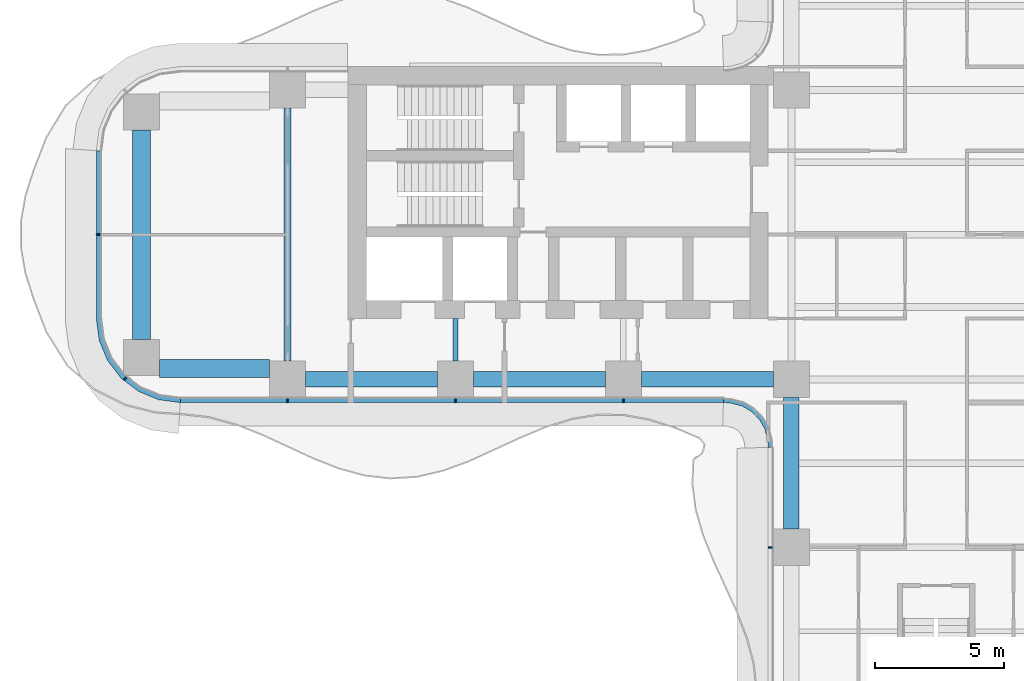
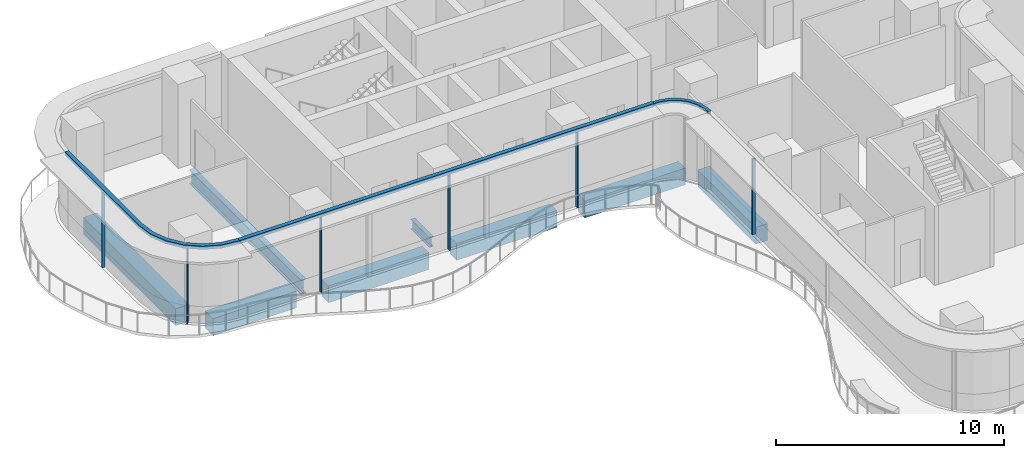
# One storey, part 3 of 22: 9 members, 8 beams, 4 elements without a shape of their own.
"""IFC4 building model written with IfcOpenShell, lengths in metres."""

from ifc_helpers import new_model, si_unit, direction, frame, origin, origin_2d, place, context, subcontext, project, spatial, polyline, rectangle, i_section, outline, extrude, source, transform, mapped, material, layer, layer_set, material_profile, profile_set, type_object, element, aggregate, save


model = new_model("IFC4")

# Units and contexts
model_context = context("Model", 3, precision=1e-05, world=origin(), true_north=direction((0.0, 1.0)))
body_context = subcontext(model_context, "Body", "Model", "MODEL_VIEW")
ifc_project = project(units=[si_unit("LENGTHUNIT", "METRE"), si_unit("AREAUNIT", "SQUARE_METRE"), si_unit("VOLUMEUNIT", "CUBIC_METRE"), si_unit("PLANEANGLEUNIT", "RADIAN"), si_unit("MASSUNIT", "GRAM", prefix="KILO")], contexts=[model_context])

# Site, building, storey
site_placement = place(None, origin())
site = spatial("IfcSite", under=ifc_project, at=site_placement, CompositionType="ELEMENT")
building_placement = place(site_placement, origin())
building = spatial("IfcBuilding", under=site, at=building_placement, Name="Trellis Farm Tower", CompositionType="ELEMENT")
storey_placement = place(building_placement, frame((0.0, 0.0, 43.0)))
storey = spatial("IfcBuildingStorey", under=building, at=storey_placement, Name="L08", CompositionType="ELEMENT", Elevation=43.0)

# Beams
ifc_material_1 = material(Name="Concrete C60/75", Category="concrete")
ifc_material_profile_1 = material_profile(ifc_material_1, rectangle(XDim=0.60009765625, YDim=0.89990234375, at=origin_2d()), Name="RC spandrel beam 600x900 C60/75")
ifc_profile_set_1 = profile_set([ifc_material_profile_1], Name="Concrete C60/75")
beam_type_1 = type_object("IfcBeamType", Name="RC spandrel beam 600x900 C60/75", PredefinedType="SPANDREL", material=ifc_profile_set_1)
shared_shape_1 = source(origin(), body_context, "Body", "SweptSolid", [
    extrude(rectangle(XDim=0.60009765625, YDim=0.89990234375, at=origin_2d()), origin(), (0.0, 0.0, 1.0), 5.099853515625),
])
for number, where, z_axis, x_axis, name in (
    (1, (-24.39990234375, -5.60009765625, -0.699951171875), (1.0, 0.0, 0.0), (0.0, 1.0, 0.0), "Girder"),
    (2, (-17.89990234375, -5.60009765625, -0.699951171875), (1.0, 0.0, 0.0), (0.0, 1.0, 0.0), "Girder"),
    (3, (-11.39990234375, -5.60009765625, -0.699951171875), (1.0, 0.0, 0.0), (0.0, 1.0, 0.0), "Girder"),
    (4, (-5.60009765625, -11.39990234375, -0.699951171875), (0.0, 1.0, 0.0), (-1.0, 0.0, 0.0), "Girder"),
):
    element("IfcBeam", number, at=place(storey_placement, frame(where, z_axis=z_axis, x_axis=x_axis)), inside=storey, type_object=beam_type_1, Name=name, PredefinedType="SPANDREL", context=body_context, shape_type="MappedRepresentation", body=[
        mapped(shared_shape_1, transform((0.0, 0.0, 0.0))),
    ])
ifc_material_2 = material(Name="Steel S355", Category="steel")
ifc_material_profile_2 = material_profile(ifc_material_2, i_section(OverallWidth=0.2666015625, OverallDepth=0.76220703125, WebThickness=0.014404296875, FlangeThickness=0.021484375, FilletRadius=0.0166015625, at=origin_2d()), Name="UB 762x267x173")
ifc_profile_set_2 = profile_set([ifc_material_profile_2], Name="Steel S355")
beam_type_2 = type_object("IfcBeamType", Name="UB 762x267x173", PredefinedType="BEAM", material=ifc_profile_set_2)
shared_shape_2 = source(origin(), body_context, "Body", "SweptSolid", [
    extrude(i_section(OverallWidth=0.2666015625, OverallDepth=0.76220703125, WebThickness=0.014404296875, FlangeThickness=0.021484375, FilletRadius=0.0166015625, at=origin_2d()), origin(), (0.0, 0.0, 1.0), 9.7998046875),
])
beam_1_placement = place(storey_placement, frame((-25.10009765625, -4.89990234375, -0.631103515625), z_axis=(0.0, 1.0, 0.0), x_axis=(-1.0, 0.0, 0.0)))
element("IfcBeam", 5, at=beam_1_placement, inside=storey, type_object=beam_type_2, Name="Girder", PredefinedType="BEAM", context=body_context, shape_type="MappedRepresentation", body=[
    mapped(shared_shape_2, transform((0.0, 0.0, 0.0))),
])
ifc_material_profile_3 = material_profile(ifc_material_1, rectangle(XDim=0.699951171875, YDim=0.89990234375, at=origin_2d()), Name="RC spandrel beam 700x900 C60/75")
ifc_profile_set_3 = profile_set([ifc_material_profile_3], Name="Concrete C60/75")
beam_type_3 = type_object("IfcBeamType", Name="RC spandrel beam 700x900 C60/75", PredefinedType="SPANDREL", material=ifc_profile_set_3)
shared_shape_3 = source(origin(), body_context, "Body", "SweptSolid", [
    extrude(rectangle(XDim=0.699951171875, YDim=0.89990234375, at=origin_2d()), origin(), (0.0, 0.0, 1.0), 4.25),
])
beam_2_placement = place(storey_placement, frame((-30.050048828125, -5.175048828125, -0.699951171875), z_axis=(1.0, 0.0, 0.0), x_axis=(0.0, 1.0, 0.0)))
element("IfcBeam", 6, at=beam_2_placement, inside=storey, type_object=beam_type_3, Name="Girder", PredefinedType="SPANDREL", context=body_context, shape_type="MappedRepresentation", body=[
    mapped(shared_shape_3, transform((0.0, 0.0, 0.0))),
])
shared_shape_4 = source(origin(), body_context, "Body", "SweptSolid", [
    extrude(rectangle(XDim=0.699951171875, YDim=0.89990234375, at=origin_2d()), origin(), (0.0, 0.0, 1.0), 8.10009765625),
])
beam_3_placement = place(storey_placement, frame((-30.75, -4.050048828125, -0.699951171875), z_axis=(0.0, 1.0, 0.0), x_axis=(-1.0, 0.0, 0.0)))
element("IfcBeam", 7, at=beam_3_placement, inside=storey, type_object=beam_type_3, Name="Girder", PredefinedType="SPANDREL", context=body_context, shape_type="MappedRepresentation", body=[
    mapped(shared_shape_4, transform((0.0, 0.0, 0.0))),
])
ifc_material_profile_4 = material_profile(ifc_material_2, i_section(OverallWidth=0.209228515625, OverallDepth=0.533203125, WebThickness=0.010009765625, FlangeThickness=0.015625, FilletRadius=0.0126953125, at=origin_2d()), Name="UB 533x210x92")
ifc_profile_set_4 = profile_set([ifc_material_profile_4], Name="Steel S355")
beam_type_4 = type_object("IfcBeamType", Name="UB 533x210x92", PredefinedType="BEAM", material=ifc_profile_set_4)
shared_shape_5 = source(origin(), body_context, "Body", "SweptSolid", [
    extrude(i_section(OverallWidth=0.209228515625, OverallDepth=0.533203125, WebThickness=0.010009765625, FlangeThickness=0.015625, FilletRadius=0.0126953125, at=origin_2d()), origin(), (0.0, 0.0, 1.0), 1.64990234375),
])
beam_4_placement = place(storey_placement, frame((-18.60009765625, -4.89990234375, -0.5166015625), z_axis=(0.0, 1.0, 0.0), x_axis=(-1.0, 0.0, 0.0)))
element("IfcBeam", 8, at=beam_4_placement, inside=storey, type_object=beam_type_4, Name="Girder", PredefinedType="BEAM", context=body_context, shape_type="MappedRepresentation", body=[
    mapped(shared_shape_5, transform((0.0, 0.0, 0.0))),
])

# Curtain wall, members
ifc_material_3 = material(Name="Aluminium and glass curtain wall", Category="aluminium")
ifc_layer_1 = layer(ifc_material_3, 0.18994140625)
ifc_layer_set_1 = layer_set([ifc_layer_1], Name="RIBBON CURTAIN WALL CW1")
curtain_wall_type_1 = type_object("IfcCurtainWallType", Name="RIBBON CURTAIN WALL CW1", PredefinedType="NOTDEFINED", material=ifc_layer_set_1)
placement_1 = place(storey_placement, origin())
curtain_wall_1 = element("IfcCurtainWall", 9, at=placement_1, inside=storey, type_object=curtain_wall_type_1, Name="CW1 001", PredefinedType="NOTDEFINED")
ifc_material_4 = material(Name="Aluminium extrusion 6063-T6", Category="aluminium")
ifc_material_profile_5 = material_profile(ifc_material_4, rectangle(XDim=0.06005859375, YDim=0.14990234375, at=origin_2d()), Name="MULLION 60x150")
ifc_profile_set_5 = profile_set([ifc_material_profile_5], Name="Aluminium extrusion 6063-T6")
member_type_1 = type_object("IfcMemberType", Name="CW1 MULLION 60x150", PredefinedType="MULLION", material=ifc_profile_set_5)
shared_shape_6 = source(origin(), body_context, "Body", "SweptSolid", [
    extrude(rectangle(XDim=0.06005859375, YDim=0.14990234375, at=origin_2d()), origin(), (0.0, 0.0, 1.0), 4.070068359375),
])
member_1_placement = place(storey_placement, frame((-25.10009765625, -6.425048828125, 0.0), z_axis=(0.0, 0.0, 1.0), x_axis=(1.0, 0.0, 0.0)))
member_1 = element("IfcMember", 10, at=member_1_placement, type_object=member_type_1, Name="MU1 001-01", PredefinedType="MULLION", context=body_context, shape_type="MappedRepresentation", body=[
    mapped(shared_shape_6, transform((0.0, 0.0, 0.0))),
])
member_2_placement = place(storey_placement, frame((-18.60009765625, -6.425048828125, 0.0), z_axis=(0.0, 0.0, 1.0), x_axis=(1.0, 0.0, 0.0)))
member_2 = element("IfcMember", 11, at=member_2_placement, type_object=member_type_1, Name="MU1 001-02", PredefinedType="MULLION", context=body_context, shape_type="MappedRepresentation", body=[
    mapped(shared_shape_6, transform((0.0, 0.0, 0.0))),
])
member_3_placement = place(storey_placement, frame((-12.10009765625, -6.425048828125, 0.0), z_axis=(0.0, 0.0, 1.0), x_axis=(1.0, 0.0, 0.0)))
member_3 = element("IfcMember", 12, at=member_3_placement, type_object=member_type_1, Name="MU1 001-03", PredefinedType="MULLION", context=body_context, shape_type="MappedRepresentation", body=[
    mapped(shared_shape_6, transform((0.0, 0.0, 0.0))),
])

# Curtain wall, member
curtain_wall_2 = element("IfcCurtainWall", 13, at=placement_1, inside=storey, type_object=curtain_wall_type_1, Name="CW1 002", PredefinedType="NOTDEFINED")
member_4_placement = place(storey_placement, frame((-6.425048828125, -12.10009765625, 0.0), z_axis=(0.0, 0.0, 1.0), x_axis=(0.0, -1.0, 0.0)))
member_4 = element("IfcMember", 14, at=member_4_placement, type_object=member_type_1, Name="MU1 002-01", PredefinedType="MULLION", context=body_context, shape_type="MappedRepresentation", body=[
    mapped(shared_shape_6, transform((0.0, 0.0, 0.0))),
])
aggregate(curtain_wall_2, [member_4])

# Curtain wall, members
curtain_wall_3 = element("IfcCurtainWall", 15, at=placement_1, inside=storey, type_object=curtain_wall_type_1, Name="CW1 013", PredefinedType="NOTDEFINED")
member_5_placement = place(storey_placement, frame((-32.425048828125, 0.0, 0.0), z_axis=(0.0, 0.0, 1.0), x_axis=(0.0, -1.0, 0.0)))
member_5 = element("IfcMember", 16, at=member_5_placement, type_object=member_type_1, Name="MU1 013-01", PredefinedType="MULLION", context=body_context, shape_type="MappedRepresentation", body=[
    mapped(shared_shape_6, transform((0.0, 0.0, 0.0))),
])
member_6_placement = place(storey_placement, frame((-31.385498046875, -5.578369140625, 0.0), z_axis=(0.0, 0.0, 1.0), x_axis=(0.793353340291, -0.608761429009, 0.0)))
member_6 = element("IfcMember", 17, at=member_6_placement, type_object=member_type_1, Name="MU1 013-02", PredefinedType="MULLION", context=body_context, shape_type="MappedRepresentation", body=[
    mapped(shared_shape_6, transform((0.0, 0.0, 0.0))),
])

# Member
ifc_layer_2 = layer(ifc_material_4, 0.199951171875)
ifc_layer_set_2 = layer_set([ifc_layer_2], Name="Aluminium extrusion 6063-T6")
member_type_2 = type_object("IfcMemberType", Name="CW1 TRANSOM 200x180", PredefinedType="USERDEFINED", material=ifc_layer_set_2)
shared_shape_7 = source(origin(), body_context, "Body", "SweptSolid", [
    extrude(outline(polyline([(-29.25, -6.5), (-8.2314453125, -6.5), (-8.224853515625, -6.300048828125), (-29.23681640625, -6.300048828125), (-29.25, -6.5)])), origin(), (0.0, 0.0, 1.0), 0.179931640625),
])
placement_2 = place(storey_placement, frame((0.0, 0.0, 4.070068359375)))
member_7 = element("IfcMember", 18, at=placement_2, type_object=member_type_2, Name="TR1 001", ObjectType="TRANSOM", PredefinedType="USERDEFINED", context=body_context, shape_type="MappedRepresentation", body=[
    mapped(shared_shape_7, transform((0.0, 0.0, 0.0))),
])

aggregate(curtain_wall_1, [member_1, member_2, member_3, member_7])

# Curtain wall, member
ifc_layer_3 = layer(ifc_material_3, 0.166015625)
ifc_layer_set_3 = layer_set([ifc_layer_3], Name="WINTER GARDEN CURTAIN WALL CW3")
curtain_wall_type_2 = type_object("IfcCurtainWallType", Name="WINTER GARDEN CURTAIN WALL CW3", PredefinedType="NOTDEFINED", material=ifc_layer_set_3)
curtain_wall_4 = element("IfcCurtainWall", 19, at=placement_1, inside=storey, type_object=curtain_wall_type_2, Name="CW3 001", PredefinedType="NOTDEFINED")
ifc_layer_4 = layer(ifc_material_4, 0.169921875)
ifc_layer_set_4 = layer_set([ifc_layer_4], Name="Aluminium extrusion 6063-T6")
member_type_3 = type_object("IfcMemberType", Name="CW3 TRANSOM 170x150", PredefinedType="USERDEFINED", material=ifc_layer_set_4)
shared_shape_8 = source(origin(), body_context, "Body", "SweptSolid", [
    extrude(outline(polyline([(-8.2314453125, -6.5), (-8.01953125, -6.513916015625), (-7.91552734375, -6.527587890625), (-7.508544921875, -6.63671875), (-7.144287109375, -6.846923828125), (-6.846923828125, -7.144287109375), (-6.63671875, -7.508544921875), (-6.527587890625, -7.91552734375), (-6.513916015625, -8.01953125), (-6.5, -8.2314453125), (-6.330078125, -8.225830078125), (-6.3447265625, -8.0029296875), (-6.360595703125, -7.88232421875), (-6.478271484375, -7.44287109375), (-6.7109375, -7.0400390625), (-7.0400390625, -6.7109375), (-7.44287109375, -6.478271484375), (-7.88232421875, -6.360595703125), (-8.0029296875, -6.3447265625), (-8.225830078125, -6.330078125), (-8.2314453125, -6.5)])), origin(), (0.0, 0.0, 1.0), 0.14990234375),
])
member_8_placement = place(storey_placement, frame((0.0, 0.0, 4.10009765625)))
member_8 = element("IfcMember", 20, at=member_8_placement, type_object=member_type_3, Name="TR3 001", ObjectType="TRANSOM", PredefinedType="USERDEFINED", context=body_context, shape_type="MappedRepresentation", body=[
    mapped(shared_shape_8, transform((0.0, 0.0, 0.0))),
])
aggregate(curtain_wall_4, [member_8])

# Member
shared_shape_9 = source(origin(), body_context, "Body", "SweptSolid", [
    extrude(outline(polyline([(-32.5, 3.25), (-32.5, -3.25), (-32.38916015625, -4.091064453125), (-32.064697265625, -4.875), (-31.548095703125, -5.548095703125), (-30.875, -6.064697265625), (-30.091064453125, -6.38916015625), (-29.25, -6.5), (-29.23681640625, -6.300048828125), (-30.0390625, -6.1943359375), (-30.774169921875, -5.889892578125), (-31.405517578125, -5.405517578125), (-31.889892578125, -4.774169921875), (-32.1943359375, -4.0390625), (-32.300048828125, -3.23681640625), (-32.300048828125, 3.23681640625), (-32.5, 3.25)])), origin(), (0.0, 0.0, 1.0), 0.179931640625),
])
member_9 = element("IfcMember", 21, at=placement_2, type_object=member_type_2, Name="TR1 013", ObjectType="TRANSOM", PredefinedType="USERDEFINED", context=body_context, shape_type="MappedRepresentation", body=[
    mapped(shared_shape_9, transform((0.0, 0.0, 0.0))),
])

aggregate(curtain_wall_3, [member_5, member_6, member_9])

save(model, "model.ifc")
